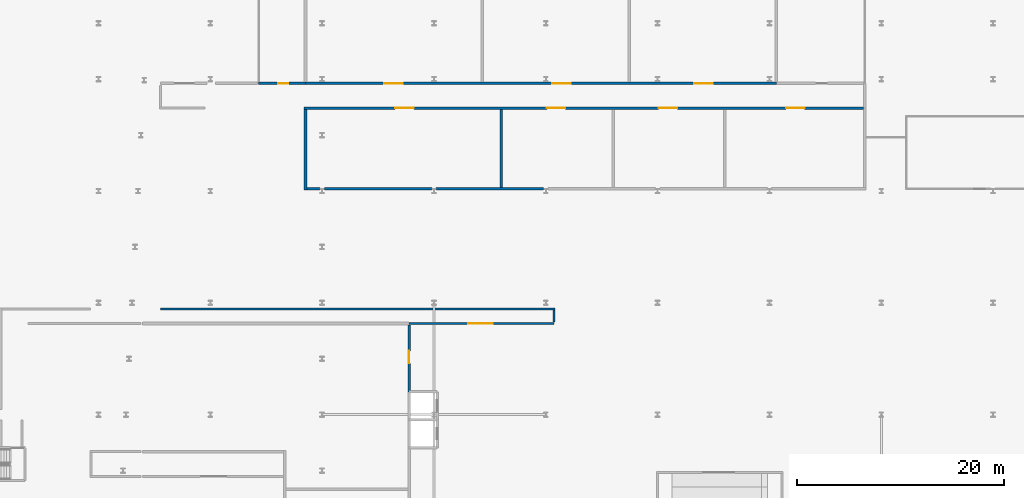
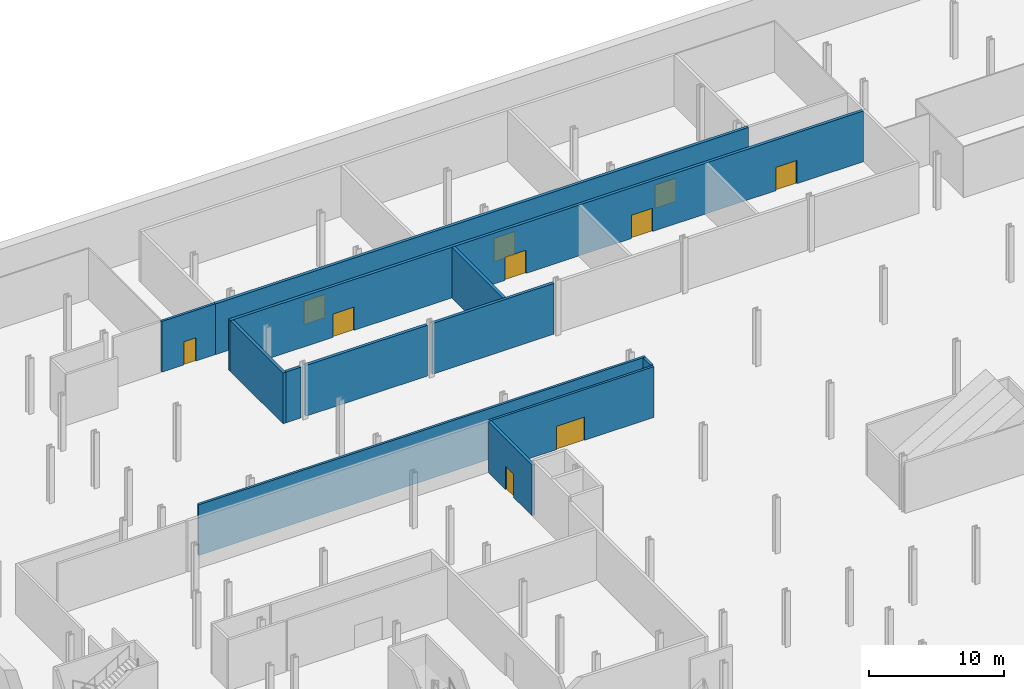
# One storey, part 12 of 19: 12 walls, 10 doors, 10 openings.
"""IFC4 building model written with IfcOpenShell, lengths in metres."""

from ifc_helpers import new_model, si_unit, direction, frame, frame_2d, origin, place, context, subcontext, project, spatial, rectangle, extrude, source, transform, mapped, material, layer, layer_set, type_object, element, fill, save


model = new_model("IFC4")

# Units and contexts
model_context = context("Model", 3, precision=1e-05, world=origin(), true_north=direction((0.0, 1.0)))
body_context = subcontext(model_context, "Body", "Model", "MODEL_VIEW")
ifc_project = project(units=[si_unit("LENGTHUNIT", "METRE"), si_unit("AREAUNIT", "SQUARE_METRE"), si_unit("VOLUMEUNIT", "CUBIC_METRE"), si_unit("PLANEANGLEUNIT", "RADIAN"), si_unit("MASSUNIT", "GRAM", prefix="KILO")], contexts=[model_context])

# Site, building, storey
site_placement = place(None, origin())
site = spatial("IfcSite", under=ifc_project, at=site_placement, CompositionType="ELEMENT")
building_placement = place(site_placement, origin())
building = spatial("IfcBuilding", under=site, at=building_placement, Name="Kheshtan School and Residences Tower", CompositionType="ELEMENT")
storey_placement = place(building_placement, frame((0.0, 0.0, -10.0)))
storey = spatial("IfcBuildingStorey", under=building, at=storey_placement, Name="B2", CompositionType="ELEMENT", Elevation=-10.0)

# Wall
ifc_material_1 = material(Name="Gypsum board on steel studs with fire boards", Category="steel")
ifc_layer_1 = layer(ifc_material_1, 0.199951171875)
ifc_layer_set_1 = layer_set([ifc_layer_1], Name="Corridor wall 200")
wall_type_1 = type_object("IfcWallType", Name="Corridor wall 200", PredefinedType="PARTITIONING", material=ifc_layer_set_1)
wall_1_placement = place(storey_placement, frame((32.0, 77.39990234375, 0.0), z_axis=(0.0, 0.0, 1.0), x_axis=(1.0, 0.0, 0.0)))
element("IfcWall", 1, at=wall_1_placement, inside=storey, type_object=wall_type_1, Name="Partition B2-015", PredefinedType="PARTITIONING", context=body_context, shape_type="SweptSolid", body=[
    extrude(rectangle(XDim=38.10009765625, YDim=0.199951171875, at=frame_2d((19.050048828125, 0.0))), origin(), (0.0, 0.0, 1.0), 4.580078125),
])

# Wall, opening, door
wall_2_placement = place(storey_placement, frame((41.449951171875, 99.199951171875, 0.0), z_axis=(0.0, 0.0, 1.0), x_axis=(1.0, 0.0, 0.0)))
wall_2 = element("IfcWall", 2, at=wall_2_placement, inside=storey, type_object=wall_type_1, Name="Partition B2-020", PredefinedType="PARTITIONING", context=body_context, shape_type="SweptSolid", body=[
    extrude(rectangle(XDim=4.550048828125, YDim=0.199951171875, at=frame_2d((2.27490234375, 0.0))), origin(), (0.0, 0.0, 1.0), 4.580078125),
])
opening_1_placement = place(wall_2_placement, frame((1.89990234375, 0.0, 0.0)))
opening_1 = element("IfcOpeningElement", 3, at=opening_1_placement, cuts=wall_2, Name="Opening D2-014", PredefinedType="OPENING", context=body_context, shape_type="SweptSolid", body=[
    extrude(rectangle(XDim=1.0, YDim=2.10009765625, at=frame_2d((0.5, 1.050048828125))), frame((0.0, 0.10986328125, 0.0), z_axis=(0.0, -1.0, 0.0), x_axis=(1.0, 0.0, 0.0)), (0.0, 0.0, 1.0), 0.219970703125),
])
ifc_material_2 = material(Name="Steel-framed fire-resisting door leaf", Category="steel")
door_type_1 = type_object("IfcDoorType", Name="Fire door FD60 1000 x 2100", OperationType="SINGLE_SWING_LEFT", PredefinedType="DOOR", material=ifc_material_2)
shared_shape_1 = source(origin(), body_context, "Body", "SweptSolid", [
    extrude(rectangle(XDim=1.0, YDim=2.10009765625, at=frame_2d((0.5, 1.050048828125))), frame((0.0, 0.02490234375, 0.0), z_axis=(0.0, -1.0, 0.0), x_axis=(1.0, 0.0, 0.0)), (0.0, 0.0, 1.0), 0.050048828125),
])
door_1_placement = place(opening_1_placement, origin())
door_1 = element("IfcDoor", 4, at=door_1_placement, inside=storey, type_object=door_type_1, Name="Door D2-014", OperationType="SINGLE_SWING_LEFT", OverallHeight=2.10009765625, OverallWidth=1.0, PredefinedType="DOOR", context=body_context, shape_type="MappedRepresentation", body=[
    mapped(shared_shape_1, transform((0.0, 0.0, 0.0), x_axis=(1.0, 0.0, 0.0), y_axis=(0.0, 1.0, 0.0), z_axis=(0.0, 0.0, 1.0), scale=1.0)),
])
fill(opening_1, door_1)

wall_3_placement = place(storey_placement, frame((56.0, 76.0, 0.0), z_axis=(0.0, 0.0, 1.0), x_axis=(1.0, 0.0, 0.0)))
wall_3 = element("IfcWall", 5, at=wall_3_placement, inside=storey, type_object=wall_type_1, Name="Partition B2-035", PredefinedType="PARTITIONING", context=body_context, shape_type="SweptSolid", body=[
    extrude(rectangle(XDim=14.0, YDim=0.199951171875, at=frame_2d((7.0, 0.0))), origin(), (0.0, 0.0, 1.0), 4.580078125),
])
opening_2_placement = place(wall_3_placement, frame((5.699951171875, 0.0, 0.0)))
opening_2 = element("IfcOpeningElement", 6, at=opening_2_placement, cuts=wall_3, Name="Opening D2-011", PredefinedType="OPENING", context=body_context, shape_type="SweptSolid", body=[
    extrude(rectangle(XDim=2.39990234375, YDim=2.10009765625, at=frame_2d((1.199951171875, 1.050048828125))), frame((0.0, 0.10986328125, 0.0), z_axis=(0.0, -1.0, 0.0), x_axis=(1.0, 0.0, 0.0)), (0.0, 0.0, 1.0), 0.219970703125),
])
door_type_2 = type_object("IfcDoorType", Name="Fire double door FD60 2400 x 2100", OperationType="DOUBLE_DOOR_SINGLE_SWING", PredefinedType="DOOR", material=ifc_material_2)
shared_shape_2 = source(origin(), body_context, "Body", "SweptSolid", [
    extrude(rectangle(XDim=2.39990234375, YDim=2.10009765625, at=frame_2d((1.199951171875, 1.050048828125))), frame((0.0, 0.02490234375, 0.0), z_axis=(0.0, -1.0, 0.0), x_axis=(1.0, 0.0, 0.0)), (0.0, 0.0, 1.0), 0.050048828125),
])
door_2_placement = place(opening_2_placement, origin())
door_2 = element("IfcDoor", 7, at=door_2_placement, inside=storey, type_object=door_type_2, Name="Door D2-011", OperationType="DOUBLE_DOOR_SINGLE_SWING", OverallHeight=2.10009765625, OverallWidth=2.39990234375, PredefinedType="DOOR", context=body_context, shape_type="MappedRepresentation", body=[
    mapped(shared_shape_2, transform((0.0, 0.0, 0.0), x_axis=(1.0, 0.0, 0.0), y_axis=(0.0, 1.0, 0.0), z_axis=(0.0, 0.0, 1.0), scale=1.0)),
])
fill(opening_2, door_2)

# Wall
wall_4_placement = place(storey_placement, frame((70.0, 76.14990234375, 0.0), z_axis=(0.0, 0.0, 1.0), x_axis=(0.0, 1.0, 0.0)))
element("IfcWall", 8, at=wall_4_placement, inside=storey, type_object=wall_type_1, Name="Partition B2-040", PredefinedType="PARTITIONING", context=body_context, shape_type="SweptSolid", body=[
    extrude(rectangle(XDim=1.150146484375, YDim=0.199951171875, at=frame_2d((0.5751953125, 0.0))), origin(), (0.0, 0.0, 1.0), 4.580078125),
])

# Wall, openings, doors
ifc_material_3 = material(Name="Fire-board and steel stud wall with mineral wool", Category="steel")
ifc_layer_2 = layer(ifc_material_3, 0.25)
ifc_layer_set_2 = layer_set([ifc_layer_2], Name="Plant room wall 250")
wall_type_2 = type_object("IfcWallType", Name="Plant room wall 250", PredefinedType="PARTITIONING", material=ifc_layer_set_2)
wall_5_placement = place(storey_placement, frame((45.875, 96.800048828125, 0.0), z_axis=(0.0, 0.0, 1.0), x_axis=(1.0, 0.0, 0.0)))
wall_5 = element("IfcWall", 9, at=wall_5_placement, inside=storey, type_object=wall_type_2, Name="Partition B2-025", PredefinedType="PARTITIONING", context=body_context, shape_type="SweptSolid", body=[
    extrude(rectangle(XDim=54.0, YDim=0.25, at=frame_2d((27.0, 0.0))), origin(), (0.0, 0.0, 1.0), 4.580078125),
])
opening_3_placement = place(wall_5_placement, frame((8.77490234375, 0.0, 0.0)))
opening_3 = element("IfcOpeningElement", 10, at=opening_3_placement, cuts=wall_5, Name="Opening D2-003", PredefinedType="OPENING", context=body_context, shape_type="SweptSolid", body=[
    extrude(rectangle(XDim=1.800048828125, YDim=2.10009765625, at=frame_2d((0.89990234375, 1.050048828125))), frame((0.0, 0.135009765625, 0.0), z_axis=(0.0, -1.0, 0.0), x_axis=(1.0, 0.0, 0.0)), (0.0, 0.0, 1.0), 0.27001953125),
])
opening_4_placement = place(wall_5_placement, frame((23.425048828125, 0.0, 0.0)))
opening_4 = element("IfcOpeningElement", 11, at=opening_4_placement, cuts=wall_5, Name="Opening D2-004", PredefinedType="OPENING", context=body_context, shape_type="SweptSolid", body=[
    extrude(rectangle(XDim=1.800048828125, YDim=2.10009765625, at=frame_2d((0.89990234375, 1.050048828125))), frame((0.0, 0.135009765625, 0.0), z_axis=(0.0, -1.0, 0.0), x_axis=(1.0, 0.0, 0.0)), (0.0, 0.0, 1.0), 0.27001953125),
])
opening_5_placement = place(wall_5_placement, frame((34.22509765625, 0.0, 0.0)))
opening_5 = element("IfcOpeningElement", 12, at=opening_5_placement, cuts=wall_5, Name="Opening D2-005", PredefinedType="OPENING", context=body_context, shape_type="SweptSolid", body=[
    extrude(rectangle(XDim=1.800048828125, YDim=2.10009765625, at=frame_2d((0.89990234375, 1.050048828125))), frame((0.0, 0.135009765625, 0.0), z_axis=(0.0, -1.0, 0.0), x_axis=(1.0, 0.0, 0.0)), (0.0, 0.0, 1.0), 0.27001953125),
])
opening_6_placement = place(wall_5_placement, frame((46.52490234375, 0.0, 0.0)))
opening_6 = element("IfcOpeningElement", 13, at=opening_6_placement, cuts=wall_5, Name="Opening D2-006", PredefinedType="OPENING", context=body_context, shape_type="SweptSolid", body=[
    extrude(rectangle(XDim=1.800048828125, YDim=2.10009765625, at=frame_2d((0.89990234375, 1.050048828125))), frame((0.0, 0.135009765625, 0.0), z_axis=(0.0, -1.0, 0.0), x_axis=(1.0, 0.0, 0.0)), (0.0, 0.0, 1.0), 0.27001953125),
])
door_type_3 = type_object("IfcDoorType", Name="Fire double door FD120 1800 x 2100", OperationType="DOUBLE_DOOR_SINGLE_SWING", PredefinedType="DOOR", material=ifc_material_2)
shared_shape_3 = source(origin(), body_context, "Body", "SweptSolid", [
    extrude(rectangle(XDim=1.800048828125, YDim=2.10009765625, at=frame_2d((0.89990234375, 1.050048828125))), frame((0.0, 0.02490234375, 0.0), z_axis=(0.0, -1.0, 0.0), x_axis=(1.0, 0.0, 0.0)), (0.0, 0.0, 1.0), 0.050048828125),
])
door_3_placement = place(opening_3_placement, origin())
door_3 = element("IfcDoor", 14, at=door_3_placement, inside=storey, type_object=door_type_3, Name="Door D2-003", OperationType="DOUBLE_DOOR_SINGLE_SWING", OverallHeight=2.10009765625, OverallWidth=1.800048828125, PredefinedType="DOOR", context=body_context, shape_type="MappedRepresentation", body=[
    mapped(shared_shape_3, transform((0.0, 0.0, 0.0), x_axis=(1.0, 0.0, 0.0), y_axis=(0.0, 1.0, 0.0), z_axis=(0.0, 0.0, 1.0), scale=1.0)),
])
fill(opening_3, door_3)
door_4_placement = place(opening_4_placement, origin())
door_4 = element("IfcDoor", 15, at=door_4_placement, inside=storey, type_object=door_type_3, Name="Door D2-004", OperationType="DOUBLE_DOOR_SINGLE_SWING", OverallHeight=2.10009765625, OverallWidth=1.800048828125, PredefinedType="DOOR", context=body_context, shape_type="MappedRepresentation", body=[
    mapped(shared_shape_3, transform((0.0, 0.0, 0.0), x_axis=(1.0, 0.0, 0.0), y_axis=(0.0, 1.0, 0.0), z_axis=(0.0, 0.0, 1.0), scale=1.0)),
])
fill(opening_4, door_4)
door_5_placement = place(opening_5_placement, origin())
door_5 = element("IfcDoor", 16, at=door_5_placement, inside=storey, type_object=door_type_3, Name="Door D2-005", OperationType="DOUBLE_DOOR_SINGLE_SWING", OverallHeight=2.10009765625, OverallWidth=1.800048828125, PredefinedType="DOOR", context=body_context, shape_type="MappedRepresentation", body=[
    mapped(shared_shape_3, transform((0.0, 0.0, 0.0), x_axis=(1.0, 0.0, 0.0), y_axis=(0.0, 1.0, 0.0), z_axis=(0.0, 0.0, 1.0), scale=1.0)),
])
fill(opening_5, door_5)
door_6_placement = place(opening_6_placement, origin())
door_6 = element("IfcDoor", 17, at=door_6_placement, inside=storey, type_object=door_type_3, Name="Door D2-006", OperationType="DOUBLE_DOOR_SINGLE_SWING", OverallHeight=2.10009765625, OverallWidth=1.800048828125, PredefinedType="DOOR", context=body_context, shape_type="MappedRepresentation", body=[
    mapped(shared_shape_3, transform((0.0, 0.0, 0.0), x_axis=(1.0, 0.0, 0.0), y_axis=(0.0, 1.0, 0.0), z_axis=(0.0, 0.0, 1.0), scale=1.0)),
])
fill(opening_6, door_6)

# Wall
wall_6_placement = place(storey_placement, frame((46.0, 88.875, 0.0), z_axis=(0.0, 0.0, 1.0), x_axis=(0.0, 1.0, 0.0)))
element("IfcWall", 18, at=wall_6_placement, inside=storey, type_object=wall_type_2, Name="Partition B2-027", PredefinedType="PARTITIONING", context=body_context, shape_type="SweptSolid", body=[
    extrude(rectangle(XDim=7.800048828125, YDim=0.25, at=frame_2d((3.89990234375, 0.0))), origin(), (0.0, 0.0, 1.0), 4.580078125),
])

# Wall, openings, doors
wall_7_placement = place(storey_placement, frame((46.0, 99.199951171875, 0.0), z_axis=(0.0, 0.0, 1.0), x_axis=(1.0, 0.0, 0.0)))
wall_7 = element("IfcWall", 19, at=wall_7_placement, inside=storey, type_object=wall_type_2, Name="Partition B2-028", PredefinedType="PARTITIONING", context=body_context, shape_type="SweptSolid", body=[
    extrude(rectangle(XDim=45.47412109375, YDim=0.25, at=frame_2d((22.737060546875, 0.0))), origin(), (0.0, 0.0, 1.0), 4.580078125),
])
opening_7_placement = place(wall_7_placement, frame((7.60302734375, 0.0, 0.0)))
opening_7 = element("IfcOpeningElement", 20, at=opening_7_placement, cuts=wall_7, Name="Opening D2-007", PredefinedType="OPENING", context=body_context, shape_type="SweptSolid", body=[
    extrude(rectangle(XDim=1.800048828125, YDim=2.10009765625, at=frame_2d((0.89990234375, 1.050048828125))), frame((0.0, 0.135009765625, 0.0), z_axis=(0.0, -1.0, 0.0), x_axis=(1.0, 0.0, 0.0)), (0.0, 0.0, 1.0), 0.27001953125),
])
opening_8_placement = place(wall_7_placement, frame((23.81298828125, 0.0, 0.0)))
opening_8 = element("IfcOpeningElement", 21, at=opening_8_placement, cuts=wall_7, Name="Opening D2-008", PredefinedType="OPENING", context=body_context, shape_type="SweptSolid", body=[
    extrude(rectangle(XDim=1.800048828125, YDim=2.10009765625, at=frame_2d((0.89990234375, 1.050048828125))), frame((0.0, 0.135009765625, 0.0), z_axis=(0.0, -1.0, 0.0), x_axis=(1.0, 0.0, 0.0)), (0.0, 0.0, 1.0), 0.27001953125),
])
opening_9_placement = place(wall_7_placement, frame((37.52392578125, 0.0, 0.0)))
opening_9 = element("IfcOpeningElement", 22, at=opening_9_placement, cuts=wall_7, Name="Opening D2-009", PredefinedType="OPENING", context=body_context, shape_type="SweptSolid", body=[
    extrude(rectangle(XDim=1.800048828125, YDim=2.10009765625, at=frame_2d((0.89990234375, 1.050048828125))), frame((0.0, 0.135009765625, 0.0), z_axis=(0.0, -1.0, 0.0), x_axis=(1.0, 0.0, 0.0)), (0.0, 0.0, 1.0), 0.27001953125),
])
door_7_placement = place(opening_7_placement, origin())
door_7 = element("IfcDoor", 23, at=door_7_placement, inside=storey, type_object=door_type_3, Name="Door D2-007", OperationType="DOUBLE_DOOR_SINGLE_SWING", OverallHeight=2.10009765625, OverallWidth=1.800048828125, PredefinedType="DOOR", context=body_context, shape_type="MappedRepresentation", body=[
    mapped(shared_shape_3, transform((0.0, 0.0, 0.0), x_axis=(1.0, 0.0, 0.0), y_axis=(0.0, 1.0, 0.0), z_axis=(0.0, 0.0, 1.0), scale=1.0)),
])
fill(opening_7, door_7)
door_8_placement = place(opening_8_placement, origin())
door_8 = element("IfcDoor", 24, at=door_8_placement, inside=storey, type_object=door_type_3, Name="Door D2-008", OperationType="DOUBLE_DOOR_SINGLE_SWING", OverallHeight=2.10009765625, OverallWidth=1.800048828125, PredefinedType="DOOR", context=body_context, shape_type="MappedRepresentation", body=[
    mapped(shared_shape_3, transform((0.0, 0.0, 0.0), x_axis=(1.0, 0.0, 0.0), y_axis=(0.0, 1.0, 0.0), z_axis=(0.0, 0.0, 1.0), scale=1.0)),
])
fill(opening_8, door_8)
door_9_placement = place(opening_9_placement, origin())
door_9 = element("IfcDoor", 25, at=door_9_placement, inside=storey, type_object=door_type_3, Name="Door D2-009", OperationType="DOUBLE_DOOR_SINGLE_SWING", OverallHeight=2.10009765625, OverallWidth=1.800048828125, PredefinedType="DOOR", context=body_context, shape_type="MappedRepresentation", body=[
    mapped(shared_shape_3, transform((0.0, 0.0, 0.0), x_axis=(1.0, 0.0, 0.0), y_axis=(0.0, 1.0, 0.0), z_axis=(0.0, 0.0, 1.0), scale=1.0)),
])
fill(opening_9, door_9)

# Walls
wall_8_placement = place(storey_placement, frame((46.125, 89.0, 0.0), z_axis=(0.0, 0.0, 1.0), x_axis=(1.0, 0.0, 0.0)))
element("IfcWall", 26, at=wall_8_placement, inside=storey, type_object=wall_type_2, Name="Partition B2-030", PredefinedType="PARTITIONING", context=body_context, shape_type="SweptSolid", body=[
    extrude(rectangle(XDim=1.263916015625, YDim=0.25, at=frame_2d((0.6318359375, 0.0))), origin(), (0.0, 0.0, 1.0), 4.580078125),
])
wall_9_placement = place(storey_placement, frame((47.81103515625, 89.0, 0.0), z_axis=(0.0, 0.0, 1.0), x_axis=(1.0, 0.0, 0.0)))
element("IfcWall", 27, at=wall_9_placement, inside=storey, type_object=wall_type_2, Name="Partition B2-031", PredefinedType="PARTITIONING", context=body_context, shape_type="SweptSolid", body=[
    extrude(rectangle(XDim=10.3779296875, YDim=0.25, at=frame_2d((5.18896484375, 0.0))), origin(), (0.0, 0.0, 1.0), 4.580078125),
])

# Wall, opening, door
wall_10_placement = place(storey_placement, frame((56.0, 69.39990234375, 0.0), z_axis=(0.0, 0.0, 1.0), x_axis=(0.0, 1.0, 0.0)))
wall_10 = element("IfcWall", 28, at=wall_10_placement, inside=storey, type_object=wall_type_2, Name="Partition B2-034", PredefinedType="PARTITIONING", context=body_context, shape_type="SweptSolid", body=[
    extrude(rectangle(XDim=6.47509765625, YDim=0.25, at=frame_2d((3.237548828125, 0.0))), origin(), (0.0, 0.0, 1.0), 4.580078125),
])
opening_10_placement = place(wall_10_placement, frame((2.75, 0.0, 0.0)))
opening_10 = element("IfcOpeningElement", 29, at=opening_10_placement, cuts=wall_10, Name="Opening D2-016", PredefinedType="OPENING", context=body_context, shape_type="SweptSolid", body=[
    extrude(rectangle(XDim=1.199951171875, YDim=2.10009765625, at=frame_2d((0.60009765625, 1.050048828125))), frame((0.0, 0.135009765625, 0.0), z_axis=(0.0, -1.0, 0.0), x_axis=(1.0, 0.0, 0.0)), (0.0, 0.0, 1.0), 0.27001953125),
])
door_type_4 = type_object("IfcDoorType", Name="Fire door FD120 1200 x 2100", OperationType="SINGLE_SWING_LEFT", PredefinedType="DOOR", material=ifc_material_2)
shared_shape_4 = source(origin(), body_context, "Body", "SweptSolid", [
    extrude(rectangle(XDim=1.199951171875, YDim=2.10009765625, at=frame_2d((0.60009765625, 1.050048828125))), frame((0.0, 0.02490234375, 0.0), z_axis=(0.0, -1.0, 0.0), x_axis=(1.0, 0.0, 0.0)), (0.0, 0.0, 1.0), 0.050048828125),
])
door_10_placement = place(opening_10_placement, origin())
door_10 = element("IfcDoor", 30, at=door_10_placement, inside=storey, type_object=door_type_4, Name="Door D2-016", OperationType="SINGLE_SWING_LEFT", OverallHeight=2.10009765625, OverallWidth=1.199951171875, PredefinedType="DOOR", context=body_context, shape_type="MappedRepresentation", body=[
    mapped(shared_shape_4, transform((0.0, 0.0, 0.0), x_axis=(1.0, 0.0, 0.0), y_axis=(0.0, 1.0, 0.0), z_axis=(0.0, 0.0, 1.0), scale=1.0)),
])
fill(opening_10, door_10)

# Walls
wall_11_placement = place(storey_placement, frame((58.611083984375, 89.0, 0.0), z_axis=(0.0, 0.0, 1.0), x_axis=(1.0, 0.0, 0.0)))
element("IfcWall", 31, at=wall_11_placement, inside=storey, type_object=wall_type_2, Name="Partition B2-036", PredefinedType="PARTITIONING", context=body_context, shape_type="SweptSolid", body=[
    extrude(rectangle(XDim=10.3779296875, YDim=0.25, at=frame_2d((5.18896484375, 0.0))), origin(), (0.0, 0.0, 1.0), 4.580078125),
])
wall_12_placement = place(storey_placement, frame((64.89990234375, 89.125, 0.0), z_axis=(0.0, 0.0, 1.0), x_axis=(0.0, 1.0, 0.0)))
element("IfcWall", 32, at=wall_12_placement, inside=storey, type_object=wall_type_2, Name="Partition B2-038", PredefinedType="PARTITIONING", context=body_context, shape_type="SweptSolid", body=[
    extrude(rectangle(XDim=7.550048828125, YDim=0.25, at=frame_2d((3.77490234375, 0.0))), origin(), (0.0, 0.0, 1.0), 4.580078125),
])

save(model, "model.ifc")
